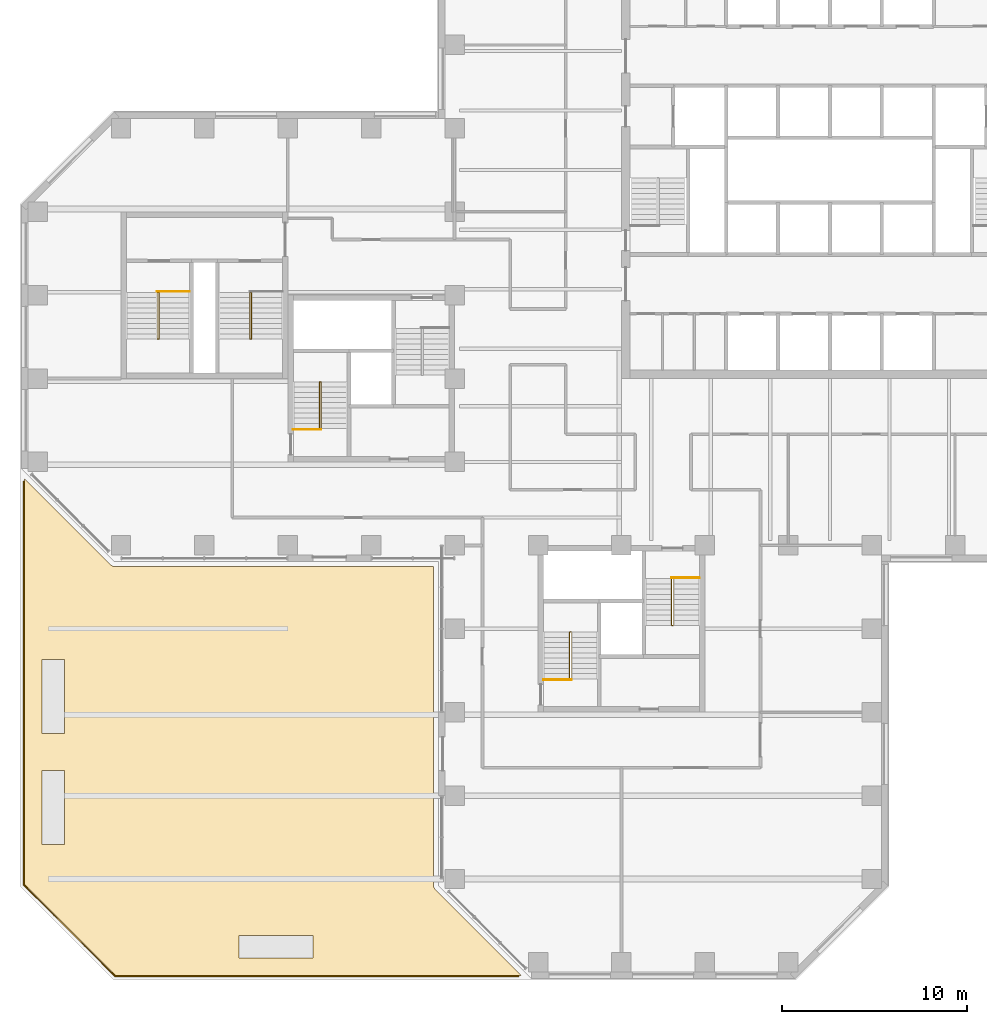
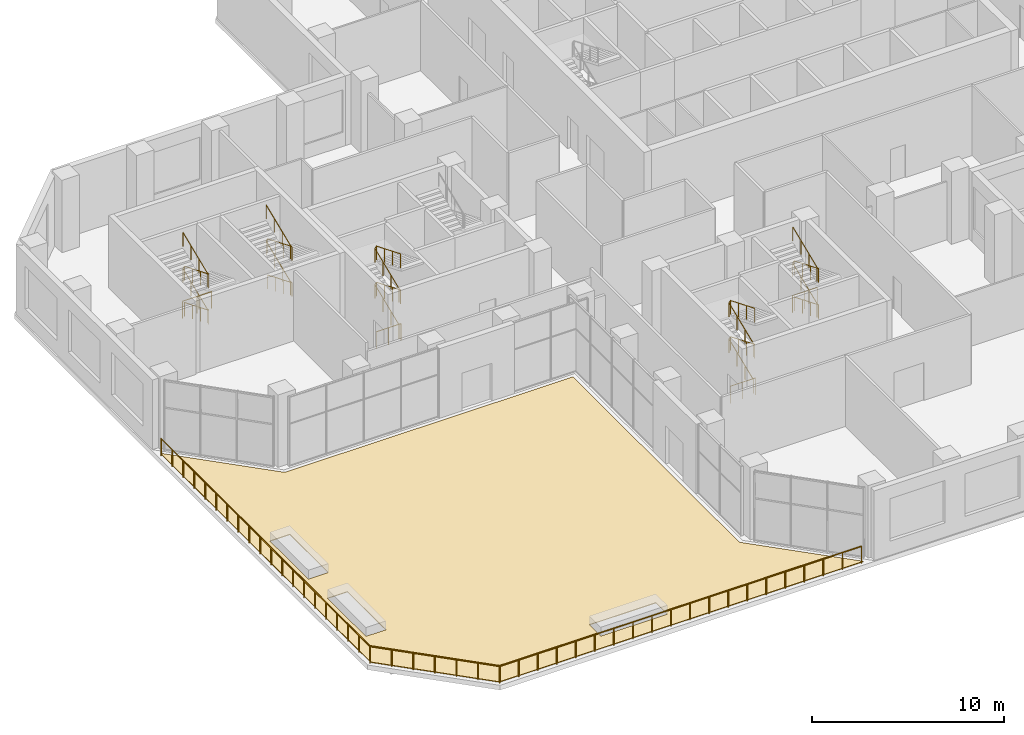
# One storey, part 13 of 14: 10 railings, 1 covering.
"""IFC4 building model written with IfcOpenShell, lengths in metres."""

from ifc_helpers import new_model, si_unit, direction, frame, origin, origin_2d, place, context, subcontext, project, spatial, polyline, circle, outline, extrude, material, layer, layer_set, type_object, element, save


model = new_model("IFC4")

# Units and contexts
model_context = context("Model", 3, precision=1e-05, world=origin(), true_north=direction((0.0, 1.0)))
body_context = subcontext(model_context, "Body", "Model", "MODEL_VIEW")
ifc_project = project(units=[si_unit("LENGTHUNIT", "METRE"), si_unit("AREAUNIT", "SQUARE_METRE"), si_unit("VOLUMEUNIT", "CUBIC_METRE"), si_unit("PLANEANGLEUNIT", "RADIAN"), si_unit("MASSUNIT", "GRAM", prefix="KILO")], contexts=[model_context])

# Site, building, storey
site_placement = place(None, origin())
site = spatial("IfcSite", under=ifc_project, at=site_placement, CompositionType="ELEMENT")
building_placement = place(site_placement, origin())
building = spatial("IfcBuilding", under=site, at=building_placement, Name="Quoin Convention Tower", CompositionType="ELEMENT")
storey_placement = place(building_placement, frame((0.0, 0.0, 74.300048828125)))
storey = spatial("IfcBuildingStorey", under=building, at=storey_placement, Name="L19", CompositionType="ELEMENT", Elevation=74.300048828125)

# Railings
ifc_material_1 = material(Name="Stainless steel", Category="steel")
railing_type_1 = type_object("IfcRailingType", Name="Guard 1100", PredefinedType="GUARDRAIL", material=ifc_material_1)
railing_1_placement = place(storey_placement, frame((39.447021484375, 17.25, 0.0)))
element("IfcRailing", 1, at=railing_1_placement, inside=storey, type_object=railing_type_1, Name="grd-L19-00-39447_17250", PredefinedType="GUARDRAIL", context=body_context, shape_type="SweptSolid", body=[
    extrude(circle(Radius=0.02392578125, at=origin_2d()), frame((0.0, 0.0, 1.076171875), z_axis=(-1.0, 0.0, 0.0), x_axis=(0.0, -1.0, 0.0)), (0.0, 0.0, 1.0), 21.7578125),
    extrude(circle(Radius=0.02392578125, at=origin_2d()), frame((-21.7578125, 0.0, 1.076171875), z_axis=(-0.707106781187, 0.707106781187, 0.0), x_axis=(-0.707106781187, -0.707106781187, 0.0)), (0.0, 0.0, 1.0), 6.985107421875),
    extrude(circle(Radius=0.02392578125, at=origin_2d()), frame((-26.697021484375, 4.939208984375, 1.076171875), z_axis=(0.0, 1.0, 0.0), x_axis=(-1.0, 0.0, 0.0)), (0.0, 0.0, 1.0), 21.7578125),
    extrude(circle(Radius=0.02099609375, at=origin_2d()), origin(), (0.0, 0.0, 1.0), 1.052001953125),
    extrude(circle(Radius=0.02099609375, at=origin_2d()), frame((-1.145263671875, 0.0, 0.0)), (0.0, 0.0, 1.0), 1.052001953125),
    extrude(circle(Radius=0.02099609375, at=origin_2d()), frame((-2.290283203125, 0.0, 0.0)), (0.0, 0.0, 1.0), 1.052001953125),
    extrude(circle(Radius=0.02099609375, at=origin_2d()), frame((-3.435546875, 0.0, 0.0)), (0.0, 0.0, 1.0), 1.052001953125),
    extrude(circle(Radius=0.02099609375, at=origin_2d()), frame((-4.58056640625, 0.0, 0.0)), (0.0, 0.0, 1.0), 1.052001953125),
    extrude(circle(Radius=0.02099609375, at=origin_2d()), frame((-5.725830078125, 0.0, 0.0)), (0.0, 0.0, 1.0), 1.052001953125),
    extrude(circle(Radius=0.02099609375, at=origin_2d()), frame((-6.870849609375, 0.0, 0.0)), (0.0, 0.0, 1.0), 1.052001953125),
    extrude(circle(Radius=0.02099609375, at=origin_2d()), frame((-8.01611328125, 0.0, 0.0)), (0.0, 0.0, 1.0), 1.052001953125),
    extrude(circle(Radius=0.02099609375, at=origin_2d()), frame((-9.1611328125, 0.0, 0.0)), (0.0, 0.0, 1.0), 1.052001953125),
    extrude(circle(Radius=0.02099609375, at=origin_2d()), frame((-10.306396484375, 0.0, 0.0)), (0.0, 0.0, 1.0), 1.052001953125),
    extrude(circle(Radius=0.02099609375, at=origin_2d()), frame((-11.451416015625, 0.0, 0.0)), (0.0, 0.0, 1.0), 1.052001953125),
    extrude(circle(Radius=0.02099609375, at=origin_2d()), frame((-12.5966796875, 0.0, 0.0)), (0.0, 0.0, 1.0), 1.052001953125),
    extrude(circle(Radius=0.02099609375, at=origin_2d()), frame((-13.74169921875, 0.0, 0.0)), (0.0, 0.0, 1.0), 1.052001953125),
    extrude(circle(Radius=0.02099609375, at=origin_2d()), frame((-14.886962890625, 0.0, 0.0)), (0.0, 0.0, 1.0), 1.052001953125),
    extrude(circle(Radius=0.02099609375, at=origin_2d()), frame((-16.031982421875, 0.0, 0.0)), (0.0, 0.0, 1.0), 1.052001953125),
    extrude(circle(Radius=0.02099609375, at=origin_2d()), frame((-17.17724609375, 0.0, 0.0)), (0.0, 0.0, 1.0), 1.052001953125),
    extrude(circle(Radius=0.02099609375, at=origin_2d()), frame((-18.322265625, 0.0, 0.0)), (0.0, 0.0, 1.0), 1.052001953125),
    extrude(circle(Radius=0.02099609375, at=origin_2d()), frame((-19.467529296875, 0.0, 0.0)), (0.0, 0.0, 1.0), 1.052001953125),
    extrude(circle(Radius=0.02099609375, at=origin_2d()), frame((-20.612548828125, 0.0, 0.0)), (0.0, 0.0, 1.0), 1.052001953125),
    extrude(circle(Radius=0.02099609375, at=origin_2d()), frame((-21.7578125, 0.0, 0.0)), (0.0, 0.0, 1.0), 1.052001953125),
    extrude(circle(Radius=0.02099609375, at=origin_2d()), frame((-22.5810546875, 0.8232421875, 0.0)), (0.0, 0.0, 1.0), 1.052001953125),
    extrude(circle(Radius=0.02099609375, at=origin_2d()), frame((-23.404296875, 1.646484375, 0.0)), (0.0, 0.0, 1.0), 1.052001953125),
    extrude(circle(Radius=0.02099609375, at=origin_2d()), frame((-24.2275390625, 2.4697265625, 0.0)), (0.0, 0.0, 1.0), 1.052001953125),
    extrude(circle(Radius=0.02099609375, at=origin_2d()), frame((-25.050537109375, 3.292724609375, 0.0)), (0.0, 0.0, 1.0), 1.052001953125),
    extrude(circle(Radius=0.02099609375, at=origin_2d()), frame((-25.873779296875, 4.115966796875, 0.0)), (0.0, 0.0, 1.0), 1.052001953125),
    extrude(circle(Radius=0.02099609375, at=origin_2d()), frame((-26.697021484375, 4.939208984375, 0.0)), (0.0, 0.0, 1.0), 1.052001953125),
    extrude(circle(Radius=0.02099609375, at=origin_2d()), frame((-26.697021484375, 6.08447265625, 0.0)), (0.0, 0.0, 1.0), 1.052001953125),
    extrude(circle(Radius=0.02099609375, at=origin_2d()), frame((-26.697021484375, 7.2294921875, 0.0)), (0.0, 0.0, 1.0), 1.052001953125),
    extrude(circle(Radius=0.02099609375, at=origin_2d()), frame((-26.697021484375, 8.374755859375, 0.0)), (0.0, 0.0, 1.0), 1.052001953125),
    extrude(circle(Radius=0.02099609375, at=origin_2d()), frame((-26.697021484375, 9.519775390625, 0.0)), (0.0, 0.0, 1.0), 1.052001953125),
    extrude(circle(Radius=0.02099609375, at=origin_2d()), frame((-26.697021484375, 10.6650390625, 0.0)), (0.0, 0.0, 1.0), 1.052001953125),
    extrude(circle(Radius=0.02099609375, at=origin_2d()), frame((-26.697021484375, 11.81005859375, 0.0)), (0.0, 0.0, 1.0), 1.052001953125),
    extrude(circle(Radius=0.02099609375, at=origin_2d()), frame((-26.697021484375, 12.955322265625, 0.0)), (0.0, 0.0, 1.0), 1.052001953125),
    extrude(circle(Radius=0.02099609375, at=origin_2d()), frame((-26.697021484375, 14.100341796875, 0.0)), (0.0, 0.0, 1.0), 1.052001953125),
    extrude(circle(Radius=0.02099609375, at=origin_2d()), frame((-26.697021484375, 15.24560546875, 0.0)), (0.0, 0.0, 1.0), 1.052001953125),
    extrude(circle(Radius=0.02099609375, at=origin_2d()), frame((-26.697021484375, 16.390625, 0.0)), (0.0, 0.0, 1.0), 1.052001953125),
    extrude(circle(Radius=0.02099609375, at=origin_2d()), frame((-26.697021484375, 17.535888671875, 0.0)), (0.0, 0.0, 1.0), 1.052001953125),
    extrude(circle(Radius=0.02099609375, at=origin_2d()), frame((-26.697021484375, 18.680908203125, 0.0)), (0.0, 0.0, 1.0), 1.052001953125),
    extrude(circle(Radius=0.02099609375, at=origin_2d()), frame((-26.697021484375, 19.826171875, 0.0)), (0.0, 0.0, 1.0), 1.052001953125),
    extrude(circle(Radius=0.02099609375, at=origin_2d()), frame((-26.697021484375, 20.97119140625, 0.0)), (0.0, 0.0, 1.0), 1.052001953125),
    extrude(circle(Radius=0.02099609375, at=origin_2d()), frame((-26.697021484375, 22.116455078125, 0.0)), (0.0, 0.0, 1.0), 1.052001953125),
    extrude(circle(Radius=0.02099609375, at=origin_2d()), frame((-26.697021484375, 23.261474609375, 0.0)), (0.0, 0.0, 1.0), 1.052001953125),
    extrude(circle(Radius=0.02099609375, at=origin_2d()), frame((-26.697021484375, 24.40673828125, 0.0)), (0.0, 0.0, 1.0), 1.052001953125),
    extrude(circle(Radius=0.02099609375, at=origin_2d()), frame((-26.697021484375, 25.5517578125, 0.0)), (0.0, 0.0, 1.0), 1.052001953125),
    extrude(circle(Radius=0.02099609375, at=origin_2d()), frame((-26.697021484375, 26.697021484375, 0.0)), (0.0, 0.0, 1.0), 1.052001953125),
])
railing_type_2 = type_object("IfcRailingType", Name="Stair handrail 900", PredefinedType="HANDRAIL", material=ifc_material_1)
railing_2_placement = place(storey_placement, frame((28.705078125, 46.800048828125, 0.114990234375)))
element("IfcRailing", 2, at=railing_2_placement, inside=storey, type_object=railing_type_2, Name="SD3 handrail 1", PredefinedType="HANDRAIL", context=body_context, shape_type="SweptSolid", body=[
    extrude(circle(Radius=0.02392578125, at=origin_2d()), frame((0.0, 0.0, 0.8759765625), z_axis=(0.0, 0.925032190732, 0.379888728591), x_axis=(-1.0, 0.0, 0.0)), (0.0, 0.0, 1.0), 2.724365234375),
    extrude(circle(Radius=0.02392578125, at=origin_2d()), frame((0.0, 2.52001953125, 1.91064453125), z_axis=(0.615676507846, 0.0, 0.787999008684), x_axis=(0.0, 1.0, 0.0)), (0.0, 0.0, 1.0), 0.14599609375),
    extrude(circle(Radius=0.02392578125, at=origin_2d()), frame((0.08984375, 2.52001953125, 2.02587890625), z_axis=(0.0, -0.92500069619, 0.379965409014), x_axis=(1.0, 0.0, 0.0)), (0.0, 0.0, 1.0), 2.724365234375),
    extrude(circle(Radius=0.02392578125, at=origin_2d()), frame((0.08984375, 0.0, 3.06103515625), z_axis=(-0.615676507846, 0.0, 0.787999008684), x_axis=(0.0, -1.0, 0.0)), (0.0, 0.0, 1.0), 0.14599609375),
    extrude(circle(Radius=0.02392578125, at=origin_2d()), frame((0.0, 0.0, 3.17578125), z_axis=(0.0, 0.925032190732, 0.379888728591), x_axis=(-1.0, 0.0, 0.0)), (0.0, 0.0, 1.0), 2.724365234375),
    extrude(circle(Radius=0.02392578125, at=origin_2d()), frame((0.0, 2.52001953125, 4.2109375), z_axis=(0.615676507846, 0.0, 0.787999008684), x_axis=(0.0, 1.0, 0.0)), (0.0, 0.0, 1.0), 0.14599609375),
    extrude(circle(Radius=0.02392578125, at=origin_2d()), frame((0.08984375, 2.52001953125, 4.32568359375), z_axis=(0.0, -0.925032190732, 0.379888728591), x_axis=(1.0, 0.0, 0.0)), (0.0, 0.0, 1.0), 2.724365234375),
    extrude(circle(Radius=0.02099609375, at=origin_2d()), origin(), (0.0, 0.0, 1.0), 0.851806640625),
    extrude(circle(Radius=0.02099609375, at=origin_2d()), frame((0.0, 0.840087890625, 0.344970703125)), (0.0, 0.0, 1.0), 0.851806640625),
    extrude(circle(Radius=0.02099609375, at=origin_2d()), frame((0.0, 1.679931640625, 0.68994140625)), (0.0, 0.0, 1.0), 0.851806640625),
    extrude(circle(Radius=0.02099609375, at=origin_2d()), frame((0.0, 2.52001953125, 1.034912109375)), (0.0, 0.0, 1.0), 0.851806640625),
    extrude(circle(Radius=0.02099609375, at=origin_2d()), frame((0.08984375, 2.52001953125, 1.14990234375)), (0.0, 0.0, 1.0), 0.851806640625),
    extrude(circle(Radius=0.02099609375, at=origin_2d()), frame((0.08984375, 1.679931640625, 1.494873046875)), (0.0, 0.0, 1.0), 0.851806640625),
    extrude(circle(Radius=0.02099609375, at=origin_2d()), frame((0.08984375, 0.840087890625, 1.840087890625)), (0.0, 0.0, 1.0), 0.851806640625),
    extrude(circle(Radius=0.02099609375, at=origin_2d()), frame((0.08984375, 0.0, 2.18505859375)), (0.0, 0.0, 1.0), 0.851806640625),
    extrude(circle(Radius=0.02099609375, at=origin_2d()), frame((0.0, 0.0, 2.300048828125)), (0.0, 0.0, 1.0), 0.851806640625),
    extrude(circle(Radius=0.02099609375, at=origin_2d()), frame((0.0, 0.840087890625, 2.64501953125)), (0.0, 0.0, 1.0), 0.851806640625),
    extrude(circle(Radius=0.02099609375, at=origin_2d()), frame((0.0, 1.679931640625, 2.989990234375)), (0.0, 0.0, 1.0), 0.851806640625),
    extrude(circle(Radius=0.02099609375, at=origin_2d()), frame((0.0, 2.52001953125, 3.3349609375)), (0.0, 0.0, 1.0), 0.851806640625),
    extrude(circle(Radius=0.02099609375, at=origin_2d()), frame((0.08984375, 2.52001953125, 3.449951171875)), (0.0, 0.0, 1.0), 0.851806640625),
    extrude(circle(Radius=0.02099609375, at=origin_2d()), frame((0.08984375, 1.679931640625, 3.794921875)), (0.0, 0.0, 1.0), 0.851806640625),
    extrude(circle(Radius=0.02099609375, at=origin_2d()), frame((0.08984375, 0.840087890625, 4.139892578125)), (0.0, 0.0, 1.0), 0.851806640625),
    extrude(circle(Radius=0.02099609375, at=origin_2d()), frame((0.08984375, 0.0, 4.48486328125)), (0.0, 0.0, 1.0), 0.851806640625),
])
railing_3_placement = place(storey_placement, frame((42.205078125, 33.300048828125, 0.114990234375)))
element("IfcRailing", 3, at=railing_3_placement, inside=storey, type_object=railing_type_2, Name="SD5 handrail 1", PredefinedType="HANDRAIL", context=body_context, shape_type="SweptSolid", body=[
    extrude(circle(Radius=0.02392578125, at=origin_2d()), frame((0.0, 0.0, 0.8759765625), z_axis=(0.0, 0.925032190732, 0.379888728591), x_axis=(-1.0, 0.0, 0.0)), (0.0, 0.0, 1.0), 2.724365234375),
    extrude(circle(Radius=0.02392578125, at=origin_2d()), frame((0.0, 2.52001953125, 1.91064453125), z_axis=(0.615676507846, 0.0, 0.787999008684), x_axis=(0.0, 1.0, 0.0)), (0.0, 0.0, 1.0), 0.14599609375),
    extrude(circle(Radius=0.02392578125, at=origin_2d()), frame((0.08984375, 2.52001953125, 2.02587890625), z_axis=(0.0, -0.92500069619, 0.379965409014), x_axis=(1.0, 0.0, 0.0)), (0.0, 0.0, 1.0), 2.724365234375),
    extrude(circle(Radius=0.02392578125, at=origin_2d()), frame((0.08984375, 0.0, 3.06103515625), z_axis=(-0.615676507846, 0.0, 0.787999008684), x_axis=(0.0, -1.0, 0.0)), (0.0, 0.0, 1.0), 0.14599609375),
    extrude(circle(Radius=0.02392578125, at=origin_2d()), frame((0.0, 0.0, 3.17578125), z_axis=(0.0, 0.925032190732, 0.379888728591), x_axis=(-1.0, 0.0, 0.0)), (0.0, 0.0, 1.0), 2.724365234375),
    extrude(circle(Radius=0.02392578125, at=origin_2d()), frame((0.0, 2.52001953125, 4.2109375), z_axis=(0.615676507846, 0.0, 0.787999008684), x_axis=(0.0, 1.0, 0.0)), (0.0, 0.0, 1.0), 0.14599609375),
    extrude(circle(Radius=0.02392578125, at=origin_2d()), frame((0.08984375, 2.52001953125, 4.32568359375), z_axis=(0.0, -0.925032190732, 0.379888728591), x_axis=(1.0, 0.0, 0.0)), (0.0, 0.0, 1.0), 2.724365234375),
    extrude(circle(Radius=0.02099609375, at=origin_2d()), origin(), (0.0, 0.0, 1.0), 0.851806640625),
    extrude(circle(Radius=0.02099609375, at=origin_2d()), frame((0.0, 0.840087890625, 0.344970703125)), (0.0, 0.0, 1.0), 0.851806640625),
    extrude(circle(Radius=0.02099609375, at=origin_2d()), frame((0.0, 1.679931640625, 0.68994140625)), (0.0, 0.0, 1.0), 0.851806640625),
    extrude(circle(Radius=0.02099609375, at=origin_2d()), frame((0.0, 2.52001953125, 1.034912109375)), (0.0, 0.0, 1.0), 0.851806640625),
    extrude(circle(Radius=0.02099609375, at=origin_2d()), frame((0.08984375, 2.52001953125, 1.14990234375)), (0.0, 0.0, 1.0), 0.851806640625),
    extrude(circle(Radius=0.02099609375, at=origin_2d()), frame((0.08984375, 1.679931640625, 1.494873046875)), (0.0, 0.0, 1.0), 0.851806640625),
    extrude(circle(Radius=0.02099609375, at=origin_2d()), frame((0.08984375, 0.840087890625, 1.840087890625)), (0.0, 0.0, 1.0), 0.851806640625),
    extrude(circle(Radius=0.02099609375, at=origin_2d()), frame((0.08984375, 0.0, 2.18505859375)), (0.0, 0.0, 1.0), 0.851806640625),
    extrude(circle(Radius=0.02099609375, at=origin_2d()), frame((0.0, 0.0, 2.300048828125)), (0.0, 0.0, 1.0), 0.851806640625),
    extrude(circle(Radius=0.02099609375, at=origin_2d()), frame((0.0, 0.840087890625, 2.64501953125)), (0.0, 0.0, 1.0), 0.851806640625),
    extrude(circle(Radius=0.02099609375, at=origin_2d()), frame((0.0, 1.679931640625, 2.989990234375)), (0.0, 0.0, 1.0), 0.851806640625),
    extrude(circle(Radius=0.02099609375, at=origin_2d()), frame((0.0, 2.52001953125, 3.3349609375)), (0.0, 0.0, 1.0), 0.851806640625),
    extrude(circle(Radius=0.02099609375, at=origin_2d()), frame((0.08984375, 2.52001953125, 3.449951171875)), (0.0, 0.0, 1.0), 0.851806640625),
    extrude(circle(Radius=0.02099609375, at=origin_2d()), frame((0.08984375, 1.679931640625, 3.794921875)), (0.0, 0.0, 1.0), 0.851806640625),
    extrude(circle(Radius=0.02099609375, at=origin_2d()), frame((0.08984375, 0.840087890625, 4.139892578125)), (0.0, 0.0, 1.0), 0.851806640625),
    extrude(circle(Radius=0.02099609375, at=origin_2d()), frame((0.08984375, 0.0, 4.48486328125)), (0.0, 0.0, 1.0), 0.851806640625),
])
railing_4_placement = place(storey_placement, frame((47.794921875, 38.699951171875, 0.114990234375)))
element("IfcRailing", 4, at=railing_4_placement, inside=storey, type_object=railing_type_2, Name="SD6 handrail 1", PredefinedType="HANDRAIL", context=body_context, shape_type="SweptSolid", body=[
    extrude(circle(Radius=0.02392578125, at=origin_2d()), frame((0.0, 0.0, 0.8759765625), z_axis=(0.0, -0.925032190732, 0.379888728591), x_axis=(1.0, 0.0, 0.0)), (0.0, 0.0, 1.0), 2.724365234375),
    extrude(circle(Radius=0.02392578125, at=origin_2d()), frame((0.0, -2.52001953125, 1.91064453125), z_axis=(-0.615676507846, 0.0, 0.787999008684), x_axis=(0.0, -1.0, 0.0)), (0.0, 0.0, 1.0), 0.14599609375),
    extrude(circle(Radius=0.02392578125, at=origin_2d()), frame((-0.08984375, -2.52001953125, 2.02587890625), z_axis=(0.0, 0.92500069619, 0.379965409014), x_axis=(-1.0, 0.0, 0.0)), (0.0, 0.0, 1.0), 2.724365234375),
    extrude(circle(Radius=0.02392578125, at=origin_2d()), frame((-0.08984375, 0.0, 3.06103515625), z_axis=(0.615676507846, 0.0, 0.787999008684), x_axis=(0.0, 1.0, 0.0)), (0.0, 0.0, 1.0), 0.14599609375),
    extrude(circle(Radius=0.02392578125, at=origin_2d()), frame((0.0, 0.0, 3.17578125), z_axis=(0.0, -0.925032190732, 0.379888728591), x_axis=(1.0, 0.0, 0.0)), (0.0, 0.0, 1.0), 2.724365234375),
    extrude(circle(Radius=0.02392578125, at=origin_2d()), frame((0.0, -2.52001953125, 4.2109375), z_axis=(-0.615676507846, 0.0, 0.787999008684), x_axis=(0.0, -1.0, 0.0)), (0.0, 0.0, 1.0), 0.14599609375),
    extrude(circle(Radius=0.02392578125, at=origin_2d()), frame((-0.08984375, -2.52001953125, 4.32568359375), z_axis=(0.0, 0.925032190732, 0.379888728591), x_axis=(-1.0, 0.0, 0.0)), (0.0, 0.0, 1.0), 2.724365234375),
    extrude(circle(Radius=0.02099609375, at=origin_2d()), origin(), (0.0, 0.0, 1.0), 0.851806640625),
    extrude(circle(Radius=0.02099609375, at=origin_2d()), frame((0.0, -0.840087890625, 0.344970703125)), (0.0, 0.0, 1.0), 0.851806640625),
    extrude(circle(Radius=0.02099609375, at=origin_2d()), frame((0.0, -1.679931640625, 0.68994140625)), (0.0, 0.0, 1.0), 0.851806640625),
    extrude(circle(Radius=0.02099609375, at=origin_2d()), frame((0.0, -2.52001953125, 1.034912109375)), (0.0, 0.0, 1.0), 0.851806640625),
    extrude(circle(Radius=0.02099609375, at=origin_2d()), frame((-0.08984375, -2.52001953125, 1.14990234375)), (0.0, 0.0, 1.0), 0.851806640625),
    extrude(circle(Radius=0.02099609375, at=origin_2d()), frame((-0.08984375, -1.679931640625, 1.494873046875)), (0.0, 0.0, 1.0), 0.851806640625),
    extrude(circle(Radius=0.02099609375, at=origin_2d()), frame((-0.08984375, -0.840087890625, 1.840087890625)), (0.0, 0.0, 1.0), 0.851806640625),
    extrude(circle(Radius=0.02099609375, at=origin_2d()), frame((-0.08984375, 0.0, 2.18505859375)), (0.0, 0.0, 1.0), 0.851806640625),
    extrude(circle(Radius=0.02099609375, at=origin_2d()), frame((0.0, 0.0, 2.300048828125)), (0.0, 0.0, 1.0), 0.851806640625),
    extrude(circle(Radius=0.02099609375, at=origin_2d()), frame((0.0, -0.840087890625, 2.64501953125)), (0.0, 0.0, 1.0), 0.851806640625),
    extrude(circle(Radius=0.02099609375, at=origin_2d()), frame((0.0, -1.679931640625, 2.989990234375)), (0.0, 0.0, 1.0), 0.851806640625),
    extrude(circle(Radius=0.02099609375, at=origin_2d()), frame((0.0, -2.52001953125, 3.3349609375)), (0.0, 0.0, 1.0), 0.851806640625),
    extrude(circle(Radius=0.02099609375, at=origin_2d()), frame((-0.08984375, -2.52001953125, 3.449951171875)), (0.0, 0.0, 1.0), 0.851806640625),
    extrude(circle(Radius=0.02099609375, at=origin_2d()), frame((-0.08984375, -1.679931640625, 3.794921875)), (0.0, 0.0, 1.0), 0.851806640625),
    extrude(circle(Radius=0.02099609375, at=origin_2d()), frame((-0.08984375, -0.840087890625, 4.139892578125)), (0.0, 0.0, 1.0), 0.851806640625),
    extrude(circle(Radius=0.02099609375, at=origin_2d()), frame((-0.08984375, 0.0, 4.48486328125)), (0.0, 0.0, 1.0), 0.851806640625),
])
railing_5_placement = place(storey_placement, frame((20.044921875, 54.14990234375, 0.114990234375)))
element("IfcRailing", 5, at=railing_5_placement, inside=storey, type_object=railing_type_2, Name="SD11 handrail 1", PredefinedType="HANDRAIL", context=body_context, shape_type="SweptSolid", body=[
    extrude(circle(Radius=0.02392578125, at=origin_2d()), frame((0.0, 0.0, 0.8759765625), z_axis=(0.0, -0.925032190732, 0.379888728591), x_axis=(1.0, 0.0, 0.0)), (0.0, 0.0, 1.0), 2.724365234375),
    extrude(circle(Radius=0.02392578125, at=origin_2d()), frame((0.0, -2.52001953125, 1.91064453125), z_axis=(-0.615676507846, 0.0, 0.787999008684), x_axis=(0.0, -1.0, 0.0)), (0.0, 0.0, 1.0), 0.14599609375),
    extrude(circle(Radius=0.02392578125, at=origin_2d()), frame((-0.08984375, -2.52001953125, 2.02587890625), z_axis=(0.0, 0.92500069619, 0.379965409014), x_axis=(-1.0, 0.0, 0.0)), (0.0, 0.0, 1.0), 2.724365234375),
    extrude(circle(Radius=0.02392578125, at=origin_2d()), frame((-0.08984375, 0.0, 3.06103515625), z_axis=(0.615676507846, 0.0, 0.787999008684), x_axis=(0.0, 1.0, 0.0)), (0.0, 0.0, 1.0), 0.14599609375),
    extrude(circle(Radius=0.02392578125, at=origin_2d()), frame((0.0, 0.0, 3.17578125), z_axis=(0.0, -0.925032190732, 0.379888728591), x_axis=(1.0, 0.0, 0.0)), (0.0, 0.0, 1.0), 2.724365234375),
    extrude(circle(Radius=0.02392578125, at=origin_2d()), frame((0.0, -2.52001953125, 4.2109375), z_axis=(-0.615676507846, 0.0, 0.787999008684), x_axis=(0.0, -1.0, 0.0)), (0.0, 0.0, 1.0), 0.14599609375),
    extrude(circle(Radius=0.02392578125, at=origin_2d()), frame((-0.08984375, -2.52001953125, 4.32568359375), z_axis=(0.0, 0.925032190732, 0.379888728591), x_axis=(-1.0, 0.0, 0.0)), (0.0, 0.0, 1.0), 2.724365234375),
    extrude(circle(Radius=0.02099609375, at=origin_2d()), origin(), (0.0, 0.0, 1.0), 0.851806640625),
    extrude(circle(Radius=0.02099609375, at=origin_2d()), frame((0.0, -0.840087890625, 0.344970703125)), (0.0, 0.0, 1.0), 0.851806640625),
    extrude(circle(Radius=0.02099609375, at=origin_2d()), frame((0.0, -1.679931640625, 0.68994140625)), (0.0, 0.0, 1.0), 0.851806640625),
    extrude(circle(Radius=0.02099609375, at=origin_2d()), frame((0.0, -2.52001953125, 1.034912109375)), (0.0, 0.0, 1.0), 0.851806640625),
    extrude(circle(Radius=0.02099609375, at=origin_2d()), frame((-0.08984375, -2.52001953125, 1.14990234375)), (0.0, 0.0, 1.0), 0.851806640625),
    extrude(circle(Radius=0.02099609375, at=origin_2d()), frame((-0.08984375, -1.679931640625, 1.494873046875)), (0.0, 0.0, 1.0), 0.851806640625),
    extrude(circle(Radius=0.02099609375, at=origin_2d()), frame((-0.08984375, -0.840087890625, 1.840087890625)), (0.0, 0.0, 1.0), 0.851806640625),
    extrude(circle(Radius=0.02099609375, at=origin_2d()), frame((-0.08984375, 0.0, 2.18505859375)), (0.0, 0.0, 1.0), 0.851806640625),
    extrude(circle(Radius=0.02099609375, at=origin_2d()), frame((0.0, 0.0, 2.300048828125)), (0.0, 0.0, 1.0), 0.851806640625),
    extrude(circle(Radius=0.02099609375, at=origin_2d()), frame((0.0, -0.840087890625, 2.64501953125)), (0.0, 0.0, 1.0), 0.851806640625),
    extrude(circle(Radius=0.02099609375, at=origin_2d()), frame((0.0, -1.679931640625, 2.989990234375)), (0.0, 0.0, 1.0), 0.851806640625),
    extrude(circle(Radius=0.02099609375, at=origin_2d()), frame((0.0, -2.52001953125, 3.3349609375)), (0.0, 0.0, 1.0), 0.851806640625),
    extrude(circle(Radius=0.02099609375, at=origin_2d()), frame((-0.08984375, -2.52001953125, 3.449951171875)), (0.0, 0.0, 1.0), 0.851806640625),
    extrude(circle(Radius=0.02099609375, at=origin_2d()), frame((-0.08984375, -1.679931640625, 3.794921875)), (0.0, 0.0, 1.0), 0.851806640625),
    extrude(circle(Radius=0.02099609375, at=origin_2d()), frame((-0.08984375, -0.840087890625, 4.139892578125)), (0.0, 0.0, 1.0), 0.851806640625),
    extrude(circle(Radius=0.02099609375, at=origin_2d()), frame((-0.08984375, 0.0, 4.48486328125)), (0.0, 0.0, 1.0), 0.851806640625),
])
railing_6_placement = place(storey_placement, frame((25.044921875, 54.14990234375, 0.114990234375)))
element("IfcRailing", 6, at=railing_6_placement, inside=storey, type_object=railing_type_2, Name="SD12 handrail 1", PredefinedType="HANDRAIL", context=body_context, shape_type="SweptSolid", body=[
    extrude(circle(Radius=0.02392578125, at=origin_2d()), frame((0.0, 0.0, 0.8759765625), z_axis=(0.0, -0.925032190732, 0.379888728591), x_axis=(1.0, 0.0, 0.0)), (0.0, 0.0, 1.0), 2.724365234375),
    extrude(circle(Radius=0.02392578125, at=origin_2d()), frame((0.0, -2.52001953125, 1.91064453125), z_axis=(-0.615676507846, 0.0, 0.787999008684), x_axis=(0.0, -1.0, 0.0)), (0.0, 0.0, 1.0), 0.14599609375),
    extrude(circle(Radius=0.02392578125, at=origin_2d()), frame((-0.08984375, -2.52001953125, 2.02587890625), z_axis=(0.0, 0.92500069619, 0.379965409014), x_axis=(-1.0, 0.0, 0.0)), (0.0, 0.0, 1.0), 2.724365234375),
    extrude(circle(Radius=0.02392578125, at=origin_2d()), frame((-0.08984375, 0.0, 3.06103515625), z_axis=(0.615676507846, 0.0, 0.787999008684), x_axis=(0.0, 1.0, 0.0)), (0.0, 0.0, 1.0), 0.14599609375),
    extrude(circle(Radius=0.02392578125, at=origin_2d()), frame((0.0, 0.0, 3.17578125), z_axis=(0.0, -0.925032190732, 0.379888728591), x_axis=(1.0, 0.0, 0.0)), (0.0, 0.0, 1.0), 2.724365234375),
    extrude(circle(Radius=0.02392578125, at=origin_2d()), frame((0.0, -2.52001953125, 4.2109375), z_axis=(-0.615676507846, 0.0, 0.787999008684), x_axis=(0.0, -1.0, 0.0)), (0.0, 0.0, 1.0), 0.14599609375),
    extrude(circle(Radius=0.02392578125, at=origin_2d()), frame((-0.08984375, -2.52001953125, 4.32568359375), z_axis=(0.0, 0.925032190732, 0.379888728591), x_axis=(-1.0, 0.0, 0.0)), (0.0, 0.0, 1.0), 2.724365234375),
    extrude(circle(Radius=0.02099609375, at=origin_2d()), origin(), (0.0, 0.0, 1.0), 0.851806640625),
    extrude(circle(Radius=0.02099609375, at=origin_2d()), frame((0.0, -0.840087890625, 0.344970703125)), (0.0, 0.0, 1.0), 0.851806640625),
    extrude(circle(Radius=0.02099609375, at=origin_2d()), frame((0.0, -1.679931640625, 0.68994140625)), (0.0, 0.0, 1.0), 0.851806640625),
    extrude(circle(Radius=0.02099609375, at=origin_2d()), frame((0.0, -2.52001953125, 1.034912109375)), (0.0, 0.0, 1.0), 0.851806640625),
    extrude(circle(Radius=0.02099609375, at=origin_2d()), frame((-0.08984375, -2.52001953125, 1.14990234375)), (0.0, 0.0, 1.0), 0.851806640625),
    extrude(circle(Radius=0.02099609375, at=origin_2d()), frame((-0.08984375, -1.679931640625, 1.494873046875)), (0.0, 0.0, 1.0), 0.851806640625),
    extrude(circle(Radius=0.02099609375, at=origin_2d()), frame((-0.08984375, -0.840087890625, 1.840087890625)), (0.0, 0.0, 1.0), 0.851806640625),
    extrude(circle(Radius=0.02099609375, at=origin_2d()), frame((-0.08984375, 0.0, 2.18505859375)), (0.0, 0.0, 1.0), 0.851806640625),
    extrude(circle(Radius=0.02099609375, at=origin_2d()), frame((0.0, 0.0, 2.300048828125)), (0.0, 0.0, 1.0), 0.851806640625),
    extrude(circle(Radius=0.02099609375, at=origin_2d()), frame((0.0, -0.840087890625, 2.64501953125)), (0.0, 0.0, 1.0), 0.851806640625),
    extrude(circle(Radius=0.02099609375, at=origin_2d()), frame((0.0, -1.679931640625, 2.989990234375)), (0.0, 0.0, 1.0), 0.851806640625),
    extrude(circle(Radius=0.02099609375, at=origin_2d()), frame((0.0, -2.52001953125, 3.3349609375)), (0.0, 0.0, 1.0), 0.851806640625),
    extrude(circle(Radius=0.02099609375, at=origin_2d()), frame((-0.08984375, -2.52001953125, 3.449951171875)), (0.0, 0.0, 1.0), 0.851806640625),
    extrude(circle(Radius=0.02099609375, at=origin_2d()), frame((-0.08984375, -1.679931640625, 3.794921875)), (0.0, 0.0, 1.0), 0.851806640625),
    extrude(circle(Radius=0.02099609375, at=origin_2d()), frame((-0.08984375, -0.840087890625, 4.139892578125)), (0.0, 0.0, 1.0), 0.851806640625),
    extrude(circle(Radius=0.02099609375, at=origin_2d()), frame((-0.08984375, 0.0, 4.48486328125)), (0.0, 0.0, 1.0), 0.851806640625),
])
railing_type_3 = type_object("IfcRailingType", Name="Stair top guard 1100", PredefinedType="GUARDRAIL", material=ifc_material_1)
for number, where, name in (
    (7, (27.300048828125, 46.75, 0.0), "SD3 top guard"),
    (8, (40.800048828125, 33.25, 0.0), "SD5 top guard"),
):
    element("IfcRailing", number, at=place(storey_placement, frame(where)), inside=storey, type_object=railing_type_3, Name=name, PredefinedType="GUARDRAIL", context=body_context, shape_type="SweptSolid", body=[
        extrude(circle(Radius=0.02392578125, at=origin_2d()), frame((0.0, 0.0, 1.076171875), z_axis=(1.0, 0.0, 0.0), x_axis=(0.0, 1.0, 0.0)), (0.0, 0.0, 1.0), 1.494873046875),
        extrude(circle(Radius=0.02099609375, at=origin_2d()), origin(), (0.0, 0.0, 1.0), 1.052001953125),
        extrude(circle(Radius=0.02099609375, at=origin_2d()), frame((0.74755859375, 0.0, 0.0)), (0.0, 0.0, 1.0), 1.052001953125),
        extrude(circle(Radius=0.02099609375, at=origin_2d()), frame((1.494873046875, 0.0, 0.0)), (0.0, 0.0, 1.0), 1.052001953125),
    ])
railing_7_placement = place(storey_placement, frame((49.199951171875, 38.75, 0.0)))
element("IfcRailing", 9, at=railing_7_placement, inside=storey, type_object=railing_type_3, Name="SD6 top guard", PredefinedType="GUARDRAIL", context=body_context, shape_type="SweptSolid", body=[
    extrude(circle(Radius=0.02392578125, at=origin_2d()), frame((0.0, 0.0, 1.076171875), z_axis=(-1.0, 0.0, 0.0), x_axis=(0.0, -1.0, 0.0)), (0.0, 0.0, 1.0), 1.494873046875),
    extrude(circle(Radius=0.02099609375, at=origin_2d()), origin(), (0.0, 0.0, 1.0), 1.052001953125),
    extrude(circle(Radius=0.02099609375, at=origin_2d()), frame((-0.74755859375, 0.0, 0.0)), (0.0, 0.0, 1.0), 1.052001953125),
    extrude(circle(Radius=0.02099609375, at=origin_2d()), frame((-1.494873046875, 0.0, 0.0)), (0.0, 0.0, 1.0), 1.052001953125),
])
railing_8_placement = place(storey_placement, frame((21.699951171875, 54.199951171875, 0.0)))
element("IfcRailing", 10, at=railing_8_placement, inside=storey, type_object=railing_type_3, Name="SD11 top guard", PredefinedType="GUARDRAIL", context=body_context, shape_type="SweptSolid", body=[
    extrude(circle(Radius=0.02392578125, at=origin_2d()), frame((0.0, 0.0, 1.076171875), z_axis=(-1.0, 0.0, 0.0), x_axis=(0.0, -1.0, 0.0)), (0.0, 0.0, 1.0), 1.744873046875),
    extrude(circle(Radius=0.02099609375, at=origin_2d()), origin(), (0.0, 0.0, 1.0), 1.052001953125),
    extrude(circle(Radius=0.02099609375, at=origin_2d()), frame((-0.87255859375, 0.0, 0.0)), (0.0, 0.0, 1.0), 1.052001953125),
    extrude(circle(Radius=0.02099609375, at=origin_2d()), frame((-1.744873046875, 0.0, 0.0)), (0.0, 0.0, 1.0), 1.052001953125),
])

# Covering
ifc_material_2 = material(Name="Stone paving", Category="masonry")
ifc_layer = layer(ifc_material_2, 0.0400390625)
ifc_layer_set = layer_set([ifc_layer], Name="Stone paving")
covering_type = type_object("IfcCoveringType", Name="Terrace paving", PredefinedType="FLOORING", material=ifc_layer_set)
covering_placement = place(storey_placement, origin())
element("IfcCovering", 11, at=covering_placement, inside=storey, type_object=covering_type, Name="ter-L19-0", PredefinedType="FLOORING", context=body_context, shape_type="SweptSolid", body=[
    extrude(outline(polyline([(17.45361328125, 39.441162109375), (17.462646484375, 39.4326171875), (17.46337890625, 39.431884765625), (17.482421875, 39.41650390625), (17.483154296875, 39.416015625), (17.50341796875, 39.40234375), (17.50439453125, 39.401611328125), (17.52587890625, 39.39013671875), (17.52685546875, 39.389892578125), (17.549560546875, 39.38037109375), (17.55029296875, 39.3798828125), (17.573974609375, 39.372802734375), (17.574951171875, 39.372802734375), (17.598876953125, 39.367919921875), (17.599853515625, 39.367919921875), (17.624267578125, 39.365234375), (17.625244140625, 39.365234375), (17.6376953125, 39.364990234375), (34.864990234375, 39.364990234375), (34.864990234375, 22.1376953125), (34.865234375, 22.125244140625), (34.865234375, 22.124267578125), (34.867919921875, 22.099853515625), (34.867919921875, 22.098876953125), (34.872802734375, 22.074951171875), (34.872802734375, 22.073974609375), (34.8798828125, 22.05029296875), (34.88037109375, 22.049560546875), (34.889892578125, 22.02685546875), (34.89013671875, 22.02587890625), (34.901611328125, 22.00439453125), (34.90234375, 22.00341796875), (34.916015625, 21.983154296875), (34.91650390625, 21.982421875), (34.931884765625, 21.96337890625), (34.9326171875, 21.962646484375), (34.941162109375, 21.95361328125), (39.594970703125, 17.300048828125), (17.710205078125, 17.300048828125), (12.800048828125, 22.210205078125), (12.800048828125, 44.094970703125), (17.45361328125, 39.441162109375)]), holes=[polyline([(24.352783203125, 18.25), (28.352783203125, 18.25), (28.352783203125, 19.449951171875), (24.352783203125, 19.449951171875), (24.352783203125, 18.25)]), polyline([(14.949951171875, 28.35205078125), (13.75, 28.35205078125), (13.75, 24.35205078125), (14.949951171875, 24.35205078125), (14.949951171875, 28.35205078125)]), polyline([(14.949951171875, 34.35205078125), (13.75, 34.35205078125), (13.75, 30.35205078125), (14.949951171875, 30.35205078125), (14.949951171875, 34.35205078125)])]), origin(), (0.0, 0.0, 1.0), 0.0400390625),
])

save(model, "model.ifc")
